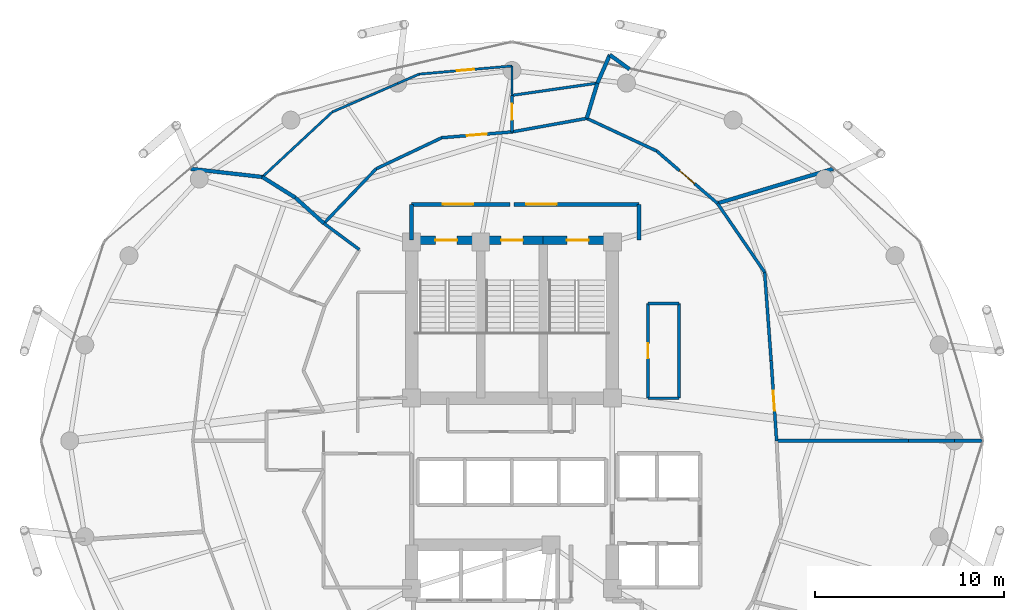
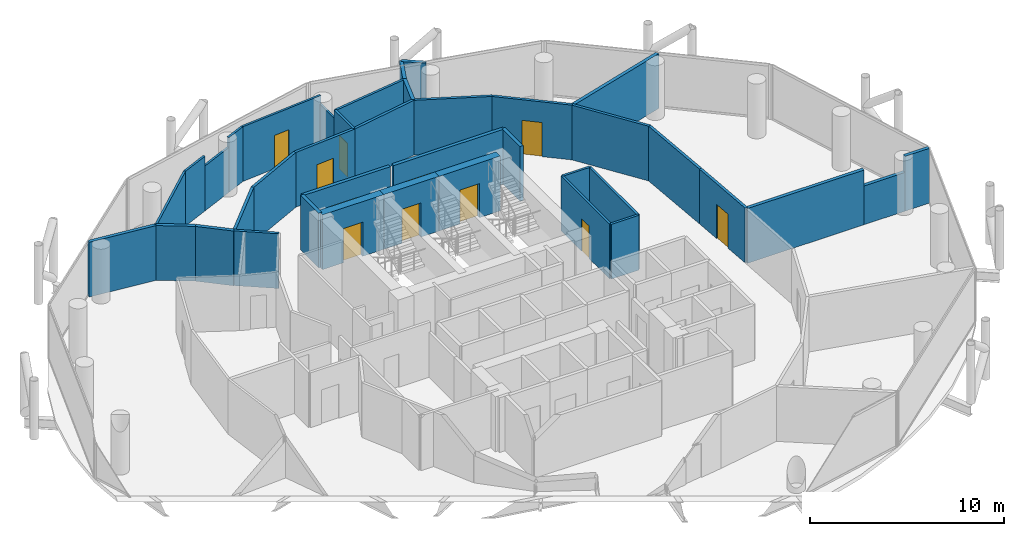
# One storey, part 24 of 26: 39 walls, 11 doors, 11 openings.
"""IFC4 building model written with IfcOpenShell, lengths in metres."""

from ifc_helpers import new_model, si_unit, direction, frame, frame_2d, origin, place, context, subcontext, project, spatial, rectangle, extrude, material, layer, layer_set, type_object, element, fill, save


model = new_model("IFC4")

# Units and contexts
model_context = context("Model", 3, precision=1e-05, world=origin(), true_north=direction((0.0, 1.0)))
body_context = subcontext(model_context, "Body", "Model", "MODEL_VIEW")
ifc_project = project(units=[si_unit("LENGTHUNIT", "METRE"), si_unit("AREAUNIT", "SQUARE_METRE"), si_unit("VOLUMEUNIT", "CUBIC_METRE"), si_unit("PLANEANGLEUNIT", "RADIAN"), si_unit("MASSUNIT", "GRAM", prefix="KILO")], contexts=[model_context])

# Site, building, storey
site_placement = place(None, origin())
site = spatial("IfcSite", under=ifc_project, at=site_placement, CompositionType="ELEMENT")
building_placement = place(site_placement, origin())
building = spatial("IfcBuilding", under=site, at=building_placement, Name="Nuhasar Tower", CompositionType="ELEMENT")
storey_placement = place(building_placement, frame((0.0, 0.0, 151.550048828125)))
storey = spatial("IfcBuildingStorey", under=building, at=storey_placement, Name="L36", CompositionType="ELEMENT", Elevation=151.550048828125)

# Wall, opening, door
ifc_material_1 = material(Name="Concrete C50/60", Category="concrete")
ifc_layer_1 = layer(ifc_material_1, 0.449951171875)
ifc_layer_set_1 = layer_set([ifc_layer_1], Name="Concrete C50/60")
wall_type_1 = type_object("IfcWallType", Name="WL-CORE-450", PredefinedType="SHEAR", material=ifc_layer_set_1)
wall_1_placement = place(storey_placement, frame((37.35009765625, 37.39990234375, 0.0), z_axis=(0.0, 0.0, 1.0), x_axis=(-1.0, 0.0, 0.0)))
wall_1 = element("IfcWall", 1, at=wall_1_placement, inside=storey, type_object=wall_type_1, Name="L36 Stairwell Shear Wall ST01-N", PredefinedType="SHEAR", context=body_context, shape_type="SweptSolid", body=[
    extrude(rectangle(XDim=3.650146484375, YDim=0.449951171875, at=frame_2d((1.8251953125, 0.0))), origin(), (0.0, 0.0, 1.0), 3.449951171875),
])
opening_1_placement = place(wall_1_placement, frame((1.25, 0.0, 0.0)))
opening_1 = element("IfcOpeningElement", 2, at=opening_1_placement, cuts=wall_1, Name="Opening DS-01", PredefinedType="OPENING", context=body_context, shape_type="SweptSolid", body=[
    extrude(rectangle(XDim=1.14990234375, YDim=2.14990234375, at=frame_2d((0.574951171875, 1.074951171875))), frame((0.0, 0.23486328125, 0.0), z_axis=(0.0, -1.0, 0.0), x_axis=(1.0, 0.0, 0.0)), (0.0, 0.0, 1.0), 0.469970703125),
])
ifc_material_2 = material(Name="Steel S355", Category="steel")
door_type_1 = type_object("IfcDoorType", Name="DR-STAIR-FD120-1150", OperationType="NOTDEFINED", PredefinedType="DOOR", material=ifc_material_2)
door_1_placement = place(opening_1_placement, origin())
door_1 = element("IfcDoor", 3, at=door_1_placement, inside=storey, type_object=door_type_1, Name="L36 Exit Stair ST-01 Door", OperationType="SINGLE_SWING_RIGHT", OverallHeight=2.14990234375, OverallWidth=1.14990234375, PredefinedType="DOOR", context=body_context, shape_type="SweptSolid", body=[
    extrude(rectangle(XDim=1.14990234375, YDim=2.14990234375, at=frame_2d((0.574951171875, 1.074951171875))), frame((0.0, 0.02490234375, 0.0), z_axis=(0.0, -1.0, 0.0), x_axis=(1.0, 0.0, 0.0)), (0.0, 0.0, 1.0), 0.050048828125),
])
fill(opening_1, door_1)

wall_2_placement = place(storey_placement, frame((40.64990234375, 37.39990234375, 0.0), z_axis=(0.0, 0.0, 1.0), x_axis=(-1.0, 0.0, 0.0)))
wall_2 = element("IfcWall", 4, at=wall_2_placement, inside=storey, type_object=wall_type_1, Name="L36 Stairwell Shear Wall ST03-N", PredefinedType="SHEAR", context=body_context, shape_type="SweptSolid", body=[
    extrude(rectangle(XDim=3.2998046875, YDim=0.449951171875, at=frame_2d((1.64990234375, 0.0))), origin(), (0.0, 0.0, 1.0), 3.449951171875),
])
opening_2_placement = place(wall_2_placement, frame((1.074951171875, 0.0, 0.0)))
opening_2 = element("IfcOpeningElement", 5, at=opening_2_placement, cuts=wall_2, Name="Opening DS-01", PredefinedType="OPENING", context=body_context, shape_type="SweptSolid", body=[
    extrude(rectangle(XDim=1.14990234375, YDim=2.14990234375, at=frame_2d((0.574951171875, 1.074951171875))), frame((0.0, 0.23486328125, 0.0), z_axis=(0.0, -1.0, 0.0), x_axis=(1.0, 0.0, 0.0)), (0.0, 0.0, 1.0), 0.469970703125),
])
door_2_placement = place(opening_2_placement, origin())
door_2 = element("IfcDoor", 6, at=door_2_placement, inside=storey, type_object=door_type_1, Name="L36 Exit Stair ST-03 Door", OperationType="SINGLE_SWING_RIGHT", OverallHeight=2.14990234375, OverallWidth=1.14990234375, PredefinedType="DOOR", context=body_context, shape_type="SweptSolid", body=[
    extrude(rectangle(XDim=1.14990234375, YDim=2.14990234375, at=frame_2d((0.574951171875, 1.074951171875))), frame((0.0, 0.02490234375, 0.0), z_axis=(0.0, -1.0, 0.0), x_axis=(1.0, 0.0, 0.0)), (0.0, 0.0, 1.0), 0.050048828125),
])
fill(opening_2, door_2)

wall_3_placement = place(storey_placement, frame((44.300048828125, 37.39990234375, 0.0), z_axis=(0.0, 0.0, 1.0), x_axis=(-1.0, 0.0, 0.0)))
wall_3 = element("IfcWall", 7, at=wall_3_placement, inside=storey, type_object=wall_type_1, Name="L36 Stairwell Shear Wall ST02-N", PredefinedType="SHEAR", context=body_context, shape_type="SweptSolid", body=[
    extrude(rectangle(XDim=3.650146484375, YDim=0.449951171875, at=frame_2d((1.8251953125, 0.0))), origin(), (0.0, 0.0, 1.0), 3.449951171875),
])
opening_3_placement = place(wall_3_placement, frame((1.25, 0.0, 0.0)))
opening_3 = element("IfcOpeningElement", 8, at=opening_3_placement, cuts=wall_3, Name="Opening DS-01", PredefinedType="OPENING", context=body_context, shape_type="SweptSolid", body=[
    extrude(rectangle(XDim=1.14990234375, YDim=2.14990234375, at=frame_2d((0.574951171875, 1.074951171875))), frame((0.0, 0.23486328125, 0.0), z_axis=(0.0, -1.0, 0.0), x_axis=(1.0, 0.0, 0.0)), (0.0, 0.0, 1.0), 0.469970703125),
])
door_3_placement = place(opening_3_placement, origin())
door_3 = element("IfcDoor", 9, at=door_3_placement, inside=storey, type_object=door_type_1, Name="L36 Exit Stair ST-02 Door", OperationType="SINGLE_SWING_LEFT", OverallHeight=2.14990234375, OverallWidth=1.14990234375, PredefinedType="DOOR", context=body_context, shape_type="SweptSolid", body=[
    extrude(rectangle(XDim=1.14990234375, YDim=2.14990234375, at=frame_2d((0.574951171875, 1.074951171875))), frame((0.0, 0.02490234375, 0.0), z_axis=(0.0, -1.0, 0.0), x_axis=(1.0, 0.0, 0.0)), (0.0, 0.0, 1.0), 0.050048828125),
])
fill(opening_3, door_3)

ifc_material_3 = material(Name="Gypsum Board", Category="gypsum")
ifc_layer_2 = layer(ifc_material_3, 0.159912109375)
ifc_layer_set_2 = layer_set([ifc_layer_2], Name="Gypsum Board")
wall_type_2 = type_object("IfcWallType", Name="WL-CORR-160", PredefinedType="PARTITIONING", material=ifc_layer_set_2)
wall_4_placement = place(storey_placement, frame((52.68310546875, 31.0380859375, 0.0), z_axis=(0.0, 0.0, 1.0), x_axis=(0.067533698234, -0.997716993743, 0.0)))
wall_4 = element("IfcWall", 10, at=wall_4_placement, inside=storey, type_object=wall_type_2, Name="L36 Interior Partition CORR-00", PredefinedType="PARTITIONING", context=body_context, shape_type="SweptSolid", body=[
    extrude(rectangle(XDim=4.247802734375, YDim=0.159912109375, at=frame_2d((2.1240234375, 0.0))), origin(), (0.0, 0.0, 1.0), 3.449951171875),
])
opening_4_placement = place(wall_4_placement, frame((1.59912109375, 0.0, 0.0)))
opening_4 = element("IfcOpeningElement", 11, at=opening_4_placement, cuts=wall_4, Name="Opening DU-01", PredefinedType="OPENING", context=body_context, shape_type="SweptSolid", body=[
    extrude(rectangle(XDim=1.050048828125, YDim=2.14990234375, at=frame_2d((0.52490234375, 1.074951171875))), frame((0.0, 0.08984375, 0.0), z_axis=(0.0, -1.0, 0.0), x_axis=(1.0, 0.0, 0.0)), (0.0, 0.0, 1.0), 0.179931640625),
])
ifc_material_4 = material(Name="Timber Oak", Category="wood")
door_type_2 = type_object("IfcDoorType", Name="DR-SUITE-FD60-1050", OperationType="NOTDEFINED", PredefinedType="DOOR", material=ifc_material_4)
door_4_placement = place(opening_4_placement, origin())
door_4 = element("IfcDoor", 12, at=door_4_placement, inside=storey, type_object=door_type_2, Name="L36 Sky Yoga & Pilates Studio Entrance Door", OperationType="SINGLE_SWING_LEFT", OverallHeight=2.14990234375, OverallWidth=1.050048828125, PredefinedType="DOOR", context=body_context, shape_type="SweptSolid", body=[
    extrude(rectangle(XDim=1.050048828125, YDim=2.14990234375, at=frame_2d((0.52490234375, 1.074951171875))), frame((0.0, 0.02490234375, 0.0), z_axis=(0.0, -1.0, 0.0), x_axis=(1.0, 0.0, 0.0)), (0.0, 0.0, 1.0), 0.050048828125),
])
fill(opening_4, door_4)

# Walls
wall_5_placement = place(storey_placement, frame((52.68310546875, 31.0380859375, 0.0), z_axis=(0.0, 0.0, 1.0), x_axis=(-0.073833218119, 0.997270603148, 0.0)))
element("IfcWall", 13, at=wall_5_placement, inside=storey, type_object=wall_type_2, Name="L36 Interior Partition CORR-02", PredefinedType="PARTITIONING", context=body_context, shape_type="SweptSolid", body=[
    extrude(rectangle(XDim=4.675537109375, YDim=0.159912109375, at=frame_2d((2.337890625, 0.0))), origin(), (0.0, 0.0, 1.0), 3.449951171875),
])
wall_6_placement = place(storey_placement, frame((52.337890625, 35.700927734375, 0.0), z_axis=(0.0, 0.0, 1.0), x_axis=(-0.565072996938, 0.825040913005, 0.0)))
element("IfcWall", 14, at=wall_6_placement, inside=storey, type_object=wall_type_2, Name="L36 Interior Partition CORR-04", PredefinedType="PARTITIONING", context=body_context, shape_type="SweptSolid", body=[
    extrude(rectangle(XDim=4.408203125, YDim=0.159912109375, at=frame_2d((2.2041015625, 0.0))), origin(), (0.0, 0.0, 1.0), 3.449951171875),
])

# Wall, opening, door
wall_7_placement = place(storey_placement, frame((46.64208984375, 42.10107421875, 0.0), z_axis=(0.0, 0.0, 1.0), x_axis=(0.757363717031, -0.65299326193, 0.0)))
wall_7 = element("IfcWall", 15, at=wall_7_placement, inside=storey, type_object=wall_type_2, Name="L36 Interior Partition CORR-06", PredefinedType="PARTITIONING", context=body_context, shape_type="SweptSolid", body=[
    extrude(rectangle(XDim=4.2314453125, YDim=0.159912109375, at=frame_2d((2.11572265625, 0.0))), origin(), (0.0, 0.0, 1.0), 3.449951171875),
])
opening_5_placement = place(wall_7_placement, frame((1.591064453125, 0.0, 0.0)))
opening_5 = element("IfcOpeningElement", 16, at=opening_5_placement, cuts=wall_7, Name="Opening DU-01", PredefinedType="OPENING", context=body_context, shape_type="SweptSolid", body=[
    extrude(rectangle(XDim=1.050048828125, YDim=2.14990234375, at=frame_2d((0.52490234375, 1.074951171875))), frame((0.0, 0.08984375, 0.0), z_axis=(0.0, -1.0, 0.0), x_axis=(1.0, 0.0, 0.0)), (0.0, 0.0, 1.0), 0.179931640625),
])
door_5_placement = place(opening_5_placement, origin())
door_5 = element("IfcDoor", 17, at=door_5_placement, inside=storey, type_object=door_type_2, Name="L36 Botanical Juice Pantry Entrance Door", OperationType="SINGLE_SWING_RIGHT", OverallHeight=2.14990234375, OverallWidth=1.050048828125, PredefinedType="DOOR", context=body_context, shape_type="SweptSolid", body=[
    extrude(rectangle(XDim=1.050048828125, YDim=2.14990234375, at=frame_2d((0.52490234375, 1.074951171875))), frame((0.0, 0.02490234375, 0.0), z_axis=(0.0, -1.0, 0.0), x_axis=(1.0, 0.0, 0.0)), (0.0, 0.0, 1.0), 0.050048828125),
])
fill(opening_5, door_5)

# Walls
wall_8_placement = place(storey_placement, frame((46.64208984375, 42.10107421875, 0.0), z_axis=(0.0, 0.0, 1.0), x_axis=(-0.906271822744, 0.422695378849, 0.0)))
element("IfcWall", 18, at=wall_8_placement, inside=storey, type_object=wall_type_2, Name="L36 Interior Partition CORR-08", PredefinedType="PARTITIONING", context=body_context, shape_type="SweptSolid", body=[
    extrude(rectangle(XDim=4.078369140625, YDim=0.159912109375, at=frame_2d((2.0390625, 0.0))), origin(), (0.0, 0.0, 1.0), 3.449951171875),
])
wall_9_placement = place(storey_placement, frame((42.946044921875, 43.824951171875, 0.0), z_axis=(0.0, 0.0, 1.0), x_axis=(-0.983984646252, -0.178253235428, 0.0)))
element("IfcWall", 19, at=wall_9_placement, inside=storey, type_object=wall_type_2, Name="L36 Interior Partition CORR-10", PredefinedType="PARTITIONING", context=body_context, shape_type="SweptSolid", body=[
    extrude(rectangle(XDim=4.01025390625, YDim=0.159912109375, at=frame_2d((2.005126953125, 0.0))), origin(), (0.0, 0.0, 1.0), 3.449951171875),
])

# Wall, opening, door
wall_10_placement = place(storey_placement, frame((35.291015625, 42.802001953125, 0.0), z_axis=(0.0, 0.0, 1.0), x_axis=(0.996567439433, 0.082784893929, 0.0)))
wall_10 = element("IfcWall", 20, at=wall_10_placement, inside=storey, type_object=wall_type_2, Name="L36 Interior Partition CORR-12", PredefinedType="PARTITIONING", context=body_context, shape_type="SweptSolid", body=[
    extrude(rectangle(XDim=3.7216796875, YDim=0.159912109375, at=frame_2d((1.86083984375, 0.0))), origin(), (0.0, 0.0, 1.0), 3.449951171875),
])
opening_6_placement = place(wall_10_placement, frame((1.3359375, 0.0, 0.0)))
opening_6 = element("IfcOpeningElement", 21, at=opening_6_placement, cuts=wall_10, Name="Opening DU-01", PredefinedType="OPENING", context=body_context, shape_type="SweptSolid", body=[
    extrude(rectangle(XDim=1.050048828125, YDim=2.14990234375, at=frame_2d((0.52490234375, 1.074951171875))), frame((0.0, 0.08984375, 0.0), z_axis=(0.0, -1.0, 0.0), x_axis=(1.0, 0.0, 0.0)), (0.0, 0.0, 1.0), 0.179931640625),
])
door_6_placement = place(opening_6_placement, origin())
door_6 = element("IfcDoor", 22, at=door_6_placement, inside=storey, type_object=door_type_2, Name="L36 Thermal Sanctuary Suite 02 Entrance Door", OperationType="SINGLE_SWING_LEFT", OverallHeight=2.14990234375, OverallWidth=1.050048828125, PredefinedType="DOOR", context=body_context, shape_type="SweptSolid", body=[
    extrude(rectangle(XDim=1.050048828125, YDim=2.14990234375, at=frame_2d((0.52490234375, 1.074951171875))), frame((0.0, 0.02490234375, 0.0), z_axis=(0.0, -1.0, 0.0), x_axis=(1.0, 0.0, 0.0)), (0.0, 0.0, 1.0), 0.050048828125),
])
fill(opening_6, door_6)

# Walls
wall_11_placement = place(storey_placement, frame((35.291015625, 42.802001953125, 0.0), z_axis=(0.0, 0.0, 1.0), x_axis=(-0.903715790708, -0.42813288781, 0.0)))
element("IfcWall", 23, at=wall_11_placement, inside=storey, type_object=wall_type_2, Name="L36 Interior Partition CORR-14", PredefinedType="PARTITIONING", context=body_context, shape_type="SweptSolid", body=[
    extrude(rectangle(XDim=3.833251953125, YDim=0.159912109375, at=frame_2d((1.91650390625, 0.0))), origin(), (0.0, 0.0, 1.0), 3.449951171875),
])
wall_12_placement = place(storey_placement, frame((31.826904296875, 41.160888671875, 0.0), z_axis=(0.0, 0.0, 1.0), x_axis=(-0.691511696296, -0.722365263482, 0.0)))
element("IfcWall", 24, at=wall_12_placement, inside=storey, type_object=wall_type_2, Name="L36 Interior Partition CORR-16", PredefinedType="PARTITIONING", context=body_context, shape_type="SweptSolid", body=[
    extrude(rectangle(XDim=3.988037109375, YDim=0.159912109375, at=frame_2d((1.994140625, 0.0))), origin(), (0.0, 0.0, 1.0), 3.449951171875),
])
wall_13_placement = place(storey_placement, frame((30.93896484375, 36.89697265625, 0.0), z_axis=(0.0, 0.0, 1.0), x_axis=(-0.803975392498, 0.594662566719, 0.0)))
element("IfcWall", 25, at=wall_13_placement, inside=storey, type_object=wall_type_2, Name="L36 Interior Partition HRAD-18-IN", PredefinedType="PARTITIONING", context=body_context, shape_type="SweptSolid", body=[
    extrude(rectangle(XDim=2.32568359375, YDim=0.159912109375, at=frame_2d((1.162841796875, 0.0))), origin(), (0.0, 0.0, 1.0), 3.449951171875),
])
ifc_material_5 = material(Name="Concrete C45/55", Category="concrete")
ifc_layer_3 = layer(ifc_material_5, 0.199951171875)
ifc_layer_set_3 = layer_set([ifc_layer_3], Name="Concrete C45/55")
wall_type_3 = type_object("IfcWallType", Name="WL-LOBBY-200", PredefinedType="SOLIDWALL", material=ifc_layer_set_3)
for number, where, z_axis, x_axis, name in (
    (26, (33.699951171875, 37.39990234375, 0.0), (0.0, 0.0, 1.0), (0.0, 1.0, 0.0), "L36 Interior Partition NSL-W"),
    (27, (45.699951171875, 37.39990234375, 0.0), (0.0, 0.0, 1.0), (0.0, 1.0, 0.0), "L36 Interior Partition NSL-E"),
):
    element("IfcWall", number, at=place(storey_placement, frame(where, z_axis=z_axis, x_axis=x_axis)), inside=storey, type_object=wall_type_3, Name=name, PredefinedType="SOLIDWALL", context=body_context, shape_type="SweptSolid", body=[
        extrude(rectangle(XDim=1.880126953125, YDim=0.199951171875, at=frame_2d((0.93994140625, 0.0))), origin(), (0.0, 0.0, 1.0), 3.449951171875),
    ])

# Wall, opening, door
wall_14_placement = place(storey_placement, frame((38.89990234375, 39.280029296875, 0.0), z_axis=(0.0, 0.0, 1.0), x_axis=(-1.0, 0.0, 0.0)))
wall_14 = element("IfcWall", 28, at=wall_14_placement, inside=storey, type_object=wall_type_3, Name="L36 Interior Partition NSL-N1", PredefinedType="SOLIDWALL", context=body_context, shape_type="SweptSolid", body=[
    extrude(rectangle(XDim=5.199951171875, YDim=0.199951171875, at=frame_2d((2.60009765625, 0.0))), origin(), (0.0, 0.0, 1.0), 3.449951171875),
])
opening_7_placement = place(wall_14_placement, frame((1.949951171875, 0.0, 0.0)))
opening_7 = element("IfcOpeningElement", 29, at=opening_7_placement, cuts=wall_14, Name="Opening DC-01", PredefinedType="OPENING", context=body_context, shape_type="SweptSolid", body=[
    extrude(rectangle(XDim=1.60009765625, YDim=2.199951171875, at=frame_2d((0.800048828125, 1.10009765625))), frame((0.0, 0.10986328125, 0.0), z_axis=(0.0, -1.0, 0.0), x_axis=(1.0, 0.0, 0.0)), (0.0, 0.0, 1.0), 0.219970703125),
])
door_type_3 = type_object("IfcDoorType", Name="DR-CORR-FD60-1600", OperationType="DOUBLE_DOOR_SINGLE_SWING", PredefinedType="DOOR", material=ifc_material_2)
door_7_placement = place(opening_7_placement, origin())
door_7 = element("IfcDoor", 30, at=door_7_placement, inside=storey, type_object=door_type_3, Name="L36 North Stair Lobby West Door", OperationType="DOUBLE_DOOR_SINGLE_SWING", OverallHeight=2.199951171875, OverallWidth=1.60009765625, PredefinedType="DOOR", context=body_context, shape_type="SweptSolid", body=[
    extrude(rectangle(XDim=1.60009765625, YDim=2.199951171875, at=frame_2d((0.800048828125, 1.10009765625))), frame((0.0, 0.02490234375, 0.0), z_axis=(0.0, -1.0, 0.0), x_axis=(1.0, 0.0, 0.0)), (0.0, 0.0, 1.0), 0.050048828125),
])
fill(opening_7, door_7)

wall_15_placement = place(storey_placement, frame((45.699951171875, 39.280029296875, 0.0), z_axis=(0.0, 0.0, 1.0), x_axis=(-1.0, 0.0, 0.0)))
wall_15 = element("IfcWall", 31, at=wall_15_placement, inside=storey, type_object=wall_type_3, Name="L36 Interior Partition NSL-N2", PredefinedType="SOLIDWALL", context=body_context, shape_type="SweptSolid", body=[
    extrude(rectangle(XDim=6.599853515625, YDim=0.199951171875, at=frame_2d((3.2998046875, 0.0))), origin(), (0.0, 0.0, 1.0), 3.449951171875),
])
opening_8_placement = place(wall_15_placement, frame((4.35009765625, 0.0, 0.0)))
opening_8 = element("IfcOpeningElement", 32, at=opening_8_placement, cuts=wall_15, Name="Opening DC-01", PredefinedType="OPENING", context=body_context, shape_type="SweptSolid", body=[
    extrude(rectangle(XDim=1.60009765625, YDim=2.199951171875, at=frame_2d((0.800048828125, 1.10009765625))), frame((0.0, 0.10986328125, 0.0), z_axis=(0.0, -1.0, 0.0), x_axis=(1.0, 0.0, 0.0)), (0.0, 0.0, 1.0), 0.219970703125),
])
door_8_placement = place(opening_8_placement, origin())
door_8 = element("IfcDoor", 33, at=door_8_placement, inside=storey, type_object=door_type_3, Name="L36 North Stair Lobby East Door", OperationType="DOUBLE_DOOR_SINGLE_SWING", OverallHeight=2.199951171875, OverallWidth=1.60009765625, PredefinedType="DOOR", context=body_context, shape_type="SweptSolid", body=[
    extrude(rectangle(XDim=1.60009765625, YDim=2.199951171875, at=frame_2d((0.800048828125, 1.10009765625))), frame((0.0, 0.02490234375, 0.0), z_axis=(0.0, -1.0, 0.0), x_axis=(1.0, 0.0, 0.0)), (0.0, 0.0, 1.0), 0.050048828125),
])
fill(opening_8, door_8)

# Wall
ifc_layer_4 = layer(ifc_material_3, 0.125)
ifc_layer_set_4 = layer_set([ifc_layer_4], Name="Gypsum Board")
wall_type_4 = type_object("IfcWallType", Name="WL-PART-125", PredefinedType="PARTITIONING", material=ifc_layer_set_4)
wall_16_placement = place(storey_placement, frame((39.0, 45.0400390625, 0.0), z_axis=(0.0, 0.0, 1.0), x_axis=(0.0, 1.0, 0.0)))
element("IfcWall", 34, at=wall_16_placement, inside=storey, type_object=wall_type_4, Name="L36 Interior Partition HBS-06", PredefinedType="PARTITIONING", context=body_context, shape_type="SweptSolid", body=[
    extrude(rectangle(XDim=1.550048828125, YDim=0.125, at=frame_2d((0.77490234375, 0.0))), origin(), (0.0, 0.0, 1.0), 2.9150390625),
])

# Wall, opening, door
wall_17_placement = place(storey_placement, frame((34.092041015625, 46.159912109375, 0.0), z_axis=(0.0, 0.0, 1.0), x_axis=(0.996180851402, 0.087313866596, 0.0)))
wall_17 = element("IfcWall", 35, at=wall_17_placement, inside=storey, type_object=wall_type_4, Name="L36 Interior Partition HSAL-06-12", PredefinedType="PARTITIONING", context=body_context, shape_type="SweptSolid", body=[
    extrude(rectangle(XDim=4.9267578125, YDim=0.125, at=frame_2d((2.46337890625, 0.0))), origin(), (0.0, 0.0, 1.0), 3.449951171875),
])
opening_9_placement = place(wall_17_placement, frame((2.012939453125, 0.0, 0.0)))
opening_9 = element("IfcOpeningElement", 36, at=opening_9_placement, cuts=wall_17, Name="Opening DR-01", PredefinedType="OPENING", context=body_context, shape_type="SweptSolid", body=[
    extrude(rectangle(XDim=0.89990234375, YDim=2.10009765625, at=frame_2d((0.449951171875, 1.050048828125))), frame((0.0, 0.072509765625, 0.0), z_axis=(0.0, -1.0, 0.0), x_axis=(1.0, 0.0, 0.0)), (0.0, 0.0, 1.0), 0.14501953125),
])
door_type_4 = type_object("IfcDoorType", Name="DR-ROOM-900", OperationType="NOTDEFINED", PredefinedType="DOOR", material=ifc_material_4)
door_9_placement = place(opening_9_placement, origin())
door_9 = element("IfcDoor", 37, at=door_9_placement, inside=storey, type_object=door_type_4, Name="L36 Thermal Sanctuary Suite 02 Bedroom Door", OperationType="SINGLE_SWING_RIGHT", OverallHeight=2.10009765625, OverallWidth=0.89990234375, PredefinedType="DOOR", context=body_context, shape_type="SweptSolid", body=[
    extrude(rectangle(XDim=0.89990234375, YDim=2.10009765625, at=frame_2d((0.449951171875, 1.050048828125))), frame((0.0, 0.02490234375, 0.0), z_axis=(0.0, -1.0, 0.0), x_axis=(1.0, 0.0, 0.0)), (0.0, 0.0, 1.0), 0.050048828125),
])
fill(opening_9, door_9)

# Walls
wall_18_placement = place(storey_placement, frame((34.092041015625, 46.159912109375, 0.0), z_axis=(0.0, 0.0, 1.0), x_axis=(-0.916522144476, -0.399983948034, 0.0)))
element("IfcWall", 38, at=wall_18_placement, inside=storey, type_object=wall_type_4, Name="L36 Interior Partition HSAL-06-14", PredefinedType="PARTITIONING", context=body_context, shape_type="SweptSolid", body=[
    extrude(rectangle(XDim=1.2275390625, YDim=0.125, at=frame_2d((0.61376953125, 0.0))), origin(), (0.0, 0.0, 1.0), 3.449951171875),
])
wall_19_placement = place(storey_placement, frame((32.967041015625, 45.6689453125, 0.0), z_axis=(0.0, 0.0, 1.0), x_axis=(-0.916639359056, -0.399715255438, 0.0)))
element("IfcWall", 39, at=wall_19_placement, inside=storey, type_object=wall_type_4, Name="L36 Interior Partition HSAL-06-14", PredefinedType="PARTITIONING", context=body_context, shape_type="SweptSolid", body=[
    extrude(rectangle(XDim=2.06640625, YDim=0.125, at=frame_2d((1.033203125, 0.0))), origin(), (0.0, 0.0, 1.0), 2.829833984375),
])
wall_20_placement = place(storey_placement, frame((31.072998046875, 44.843017578125, 0.0), z_axis=(0.0, 0.0, 1.0), x_axis=(-0.916624498979, -0.399749331296, 0.0)))
element("IfcWall", 40, at=wall_20_placement, inside=storey, type_object=wall_type_4, Name="L36 Interior Partition HSAL-06-14", PredefinedType="PARTITIONING", context=body_context, shape_type="SweptSolid", body=[
    extrude(rectangle(XDim=1.700927734375, YDim=0.125, at=frame_2d((0.8505859375, 0.0))), origin(), (0.0, 0.0, 1.0), 3.449951171875),
])
wall_21_placement = place(storey_placement, frame((29.513916015625, 44.1630859375, 0.0), z_axis=(0.0, 0.0, 1.0), x_axis=(-0.73247967819, -0.68078889609, 0.0)))
element("IfcWall", 41, at=wall_21_placement, inside=storey, type_object=wall_type_4, Name="L36 Interior Partition HSAL-06-16", PredefinedType="PARTITIONING", context=body_context, shape_type="SweptSolid", body=[
    extrude(rectangle(XDim=5.044189453125, YDim=0.125, at=frame_2d((2.52197265625, 0.0))), origin(), (0.0, 0.0, 1.0), 3.449951171875),
])
ifc_material_6 = material(Name="Concrete C40/50 precast", Category="concrete")
ifc_layer_5 = layer(ifc_material_6, 0.199951171875)
ifc_layer_set_5 = layer_set([ifc_layer_5], Name="Concrete C40/50 precast")
wall_type_5 = type_object("IfcWallType", Name="WL-UNIT-200", PredefinedType="PARTITIONING", material=ifc_layer_set_5)
wall_22_placement = place(storey_placement, frame((29.069091796875, 38.280029296875, 0.0), z_axis=(0.0, 0.0, 1.0), x_axis=(-0.743085021135, 0.669197019842, 0.0)))
element("IfcWall", 42, at=wall_22_placement, inside=storey, type_object=wall_type_5, Name="L36 Interior Partition HRAD-18-OUT-S1", PredefinedType="PARTITIONING", context=body_context, shape_type="SweptSolid", body=[
    extrude(rectangle(XDim=2.031982421875, YDim=0.199951171875, at=frame_2d((1.01611328125, 0.0))), origin(), (0.0, 0.0, 1.0), 3.449951171875),
])
wall_23_placement = place(storey_placement, frame((27.55908203125, 39.639892578125, 0.0), z_axis=(0.0, 0.0, 1.0), x_axis=(-0.847643984813, 0.530565429529, 0.0)))
element("IfcWall", 43, at=wall_23_placement, inside=storey, type_object=wall_type_5, Name="L36 Interior Partition HRAD-18-OUT-S2", PredefinedType="PARTITIONING", context=body_context, shape_type="SweptSolid", body=[
    extrude(rectangle(XDim=2.052734375, YDim=0.199951171875, at=frame_2d((1.0263671875, 0.0))), origin(), (0.0, 0.0, 1.0), 3.449951171875),
])
wall_24_placement = place(storey_placement, frame((25.819091796875, 40.72900390625, 0.0), z_axis=(0.0, 0.0, 1.0), x_axis=(-0.993548609686, 0.113407055299, 0.0)))
element("IfcWall", 44, at=wall_24_placement, inside=storey, type_object=wall_type_5, Name="L36 Interior Partition HRAD-18-OUT-S3", PredefinedType="PARTITIONING", context=body_context, shape_type="SweptSolid", body=[
    extrude(rectangle(XDim=3.799560546875, YDim=0.199951171875, at=frame_2d((1.89990234375, 0.0))), origin(), (0.0, 0.0, 1.0), 3.449951171875),
])
wall_25_placement = place(storey_placement, frame((52.969970703125, 26.800048828125, 0.0), z_axis=(0.0, 0.0, 1.0), x_axis=(1.0, 0.0, 0.0)))
element("IfcWall", 45, at=wall_25_placement, inside=storey, type_object=wall_type_5, Name="L36 Interior Partition HRAD-00", PredefinedType="PARTITIONING", context=body_context, shape_type="SweptSolid", body=[
    extrude(rectangle(XDim=6.95703125, YDim=0.199951171875, at=frame_2d((3.478515625, 0.0))), origin(), (0.0, 0.0, 1.0), 3.449951171875),
])
wall_26_placement = place(storey_placement, frame((59.927001953125, 26.800048828125, 0.0), z_axis=(0.0, 0.0, 1.0), x_axis=(1.0, 0.0, 0.0)))
element("IfcWall", 46, at=wall_26_placement, inside=storey, type_object=wall_type_5, Name="L36 Interior Partition HRAD-00", PredefinedType="PARTITIONING", context=body_context, shape_type="SweptSolid", body=[
    extrude(rectangle(XDim=2.43505859375, YDim=0.199951171875, at=frame_2d((1.217529296875, 0.0))), origin(), (0.0, 0.0, 1.0), 2.43994140625),
])
wall_27_placement = place(storey_placement, frame((62.362060546875, 26.800048828125, 0.0), z_axis=(0.0, 0.0, 1.0), x_axis=(1.0, 0.0, 0.0)))
element("IfcWall", 47, at=wall_27_placement, inside=storey, type_object=wall_type_5, Name="L36 Interior Partition HRAD-00", PredefinedType="PARTITIONING", context=body_context, shape_type="SweptSolid", body=[
    extrude(rectangle(XDim=1.462890625, YDim=0.199951171875, at=frame_2d((0.7314453125, 0.0))), origin(), (0.0, 0.0, 1.0), 3.449951171875),
])
wall_28_placement = place(storey_placement, frame((49.846923828125, 39.337890625, 0.0), z_axis=(0.0, 0.0, 1.0), x_axis=(0.958287760773, 0.285805121634, 0.0)))
element("IfcWall", 48, at=wall_28_placement, inside=storey, type_object=wall_type_5, Name="L36 Interior Partition HRAD-06", PredefinedType="PARTITIONING", context=body_context, shape_type="SweptSolid", body=[
    extrude(rectangle(XDim=6.375, YDim=0.199951171875, at=frame_2d((3.1875, 0.0))), origin(), (0.0, 0.0, 1.0), 3.449951171875),
])
wall_29_placement = place(storey_placement, frame((42.946044921875, 43.824951171875, 0.0), z_axis=(0.0, 0.0, 1.0), x_axis=(0.289087109565, 0.957302795924, 0.0)))
element("IfcWall", 49, at=wall_29_placement, inside=storey, type_object=wall_type_5, Name="L36 Interior Partition HRAD-10-S1", PredefinedType="PARTITIONING", context=body_context, shape_type="SweptSolid", body=[
    extrude(rectangle(XDim=1.944091796875, YDim=0.199951171875, at=frame_2d((0.97216796875, 0.0))), origin(), (0.0, 0.0, 1.0), 3.449951171875),
])
wall_30_placement = place(storey_placement, frame((43.508056640625, 45.68603515625, 0.0), z_axis=(0.0, 0.0, 1.0), x_axis=(0.40373241072, 0.914877117724, 0.0)))
element("IfcWall", 50, at=wall_30_placement, inside=storey, type_object=wall_type_5, Name="L36 Interior Partition HRAD-10-S2", PredefinedType="PARTITIONING", context=body_context, shape_type="SweptSolid", body=[
    extrude(rectangle(XDim=1.629638671875, YDim=0.199951171875, at=frame_2d((0.81494140625, 0.0))), origin(), (0.0, 0.0, 1.0), 3.449951171875),
])
wall_31_placement = place(storey_placement, frame((44.166015625, 47.177001953125, 0.0), z_axis=(0.0, 0.0, 1.0), x_axis=(0.807036931604, -0.590500966153, 0.0)))
element("IfcWall", 51, at=wall_31_placement, inside=storey, type_object=wall_type_5, Name="L36 Interior Partition HRAD-10-S3", PredefinedType="PARTITIONING", context=body_context, shape_type="SweptSolid", body=[
    extrude(rectangle(XDim=1.288818359375, YDim=0.199951171875, at=frame_2d((0.64453125, 0.0))), origin(), (0.0, 0.0, 1.0), 3.449951171875),
])

# Wall, opening, door
ifc_layer_6 = layer(ifc_material_6, 0.139892578125)
ifc_layer_set_6 = layer_set([ifc_layer_6], Name="Concrete C40/50 precast")
wall_type_6 = type_object("IfcWallType", Name="WL-WET-140", PredefinedType="PARTITIONING", material=ifc_layer_set_6)
wall_32_placement = place(storey_placement, frame((46.179931640625, 34.050048828125, 0.0), z_axis=(0.0, 0.0, 1.0), x_axis=(0.0, -1.0, 0.0)))
wall_32 = element("IfcWall", 52, at=wall_32_placement, inside=storey, type_object=wall_type_6, Name="L36 Interior Partition K3-NE-W", PredefinedType="PARTITIONING", context=body_context, shape_type="SweptSolid", body=[
    extrude(rectangle(XDim=5.0, YDim=0.139892578125, at=frame_2d((2.5, 0.0))), origin(), (0.0, 0.0, 1.0), 3.449951171875),
])
opening_10_placement = place(wall_32_placement, frame((2.10009765625, 0.0, 0.0)))
opening_10 = element("IfcOpeningElement", 53, at=opening_10_placement, cuts=wall_32, Name="Opening DM-01", PredefinedType="OPENING", context=body_context, shape_type="SweptSolid", body=[
    extrude(rectangle(XDim=0.800048828125, YDim=2.050048828125, at=frame_2d((0.39990234375, 1.02490234375))), frame((0.0, 0.080078125, 0.0), z_axis=(0.0, -1.0, 0.0), x_axis=(1.0, 0.0, 0.0)), (0.0, 0.0, 1.0), 0.159912109375),
])
door_type_5 = type_object("IfcDoorType", Name="DR-RISER-FD60-800", OperationType="NOTDEFINED", PredefinedType="DOOR", material=ifc_material_2)
door_10_placement = place(opening_10_placement, origin())
door_10 = element("IfcDoor", 54, at=door_10_placement, inside=storey, type_object=door_type_5, Name="L36 NE Switchgear Room Door", OperationType="SINGLE_SWING_RIGHT", OverallHeight=2.050048828125, OverallWidth=0.800048828125, PredefinedType="DOOR", context=body_context, shape_type="SweptSolid", body=[
    extrude(rectangle(XDim=0.800048828125, YDim=2.050048828125, at=frame_2d((0.39990234375, 1.02490234375))), frame((0.0, 0.02490234375, 0.0), z_axis=(0.0, -1.0, 0.0), x_axis=(1.0, 0.0, 0.0)), (0.0, 0.0, 1.0), 0.050048828125),
])
fill(opening_10, door_10)

# Walls
for number, where, z_axis, x_axis, name in (
    (55, (46.179931640625, 29.050048828125, 0.0), (0.0, 0.0, 1.0), (1.0, 0.0, 0.0), "L36 Interior Partition K3-NE-S"),
    (56, (46.179931640625, 34.050048828125, 0.0), (0.0, 0.0, 1.0), (1.0, 0.0, 0.0), "L36 Interior Partition K3-NE-N"),
):
    element("IfcWall", number, at=place(storey_placement, frame(where, z_axis=z_axis, x_axis=x_axis)), inside=storey, type_object=wall_type_6, Name=name, PredefinedType="PARTITIONING", context=body_context, shape_type="SweptSolid", body=[
        extrude(rectangle(XDim=1.64013671875, YDim=0.139892578125, at=frame_2d((0.820068359375, 0.0))), origin(), (0.0, 0.0, 1.0), 3.449951171875),
    ])
wall_33_placement = place(storey_placement, frame((47.820068359375, 29.050048828125, 0.0), z_axis=(0.0, 0.0, 1.0), x_axis=(0.0, 1.0, 0.0)))
element("IfcWall", 57, at=wall_33_placement, inside=storey, type_object=wall_type_6, Name="L36 Interior Partition K3-NE-E", PredefinedType="PARTITIONING", context=body_context, shape_type="SweptSolid", body=[
    extrude(rectangle(XDim=5.0, YDim=0.139892578125, at=frame_2d((2.5, 0.0))), origin(), (0.0, 0.0, 1.0), 3.449951171875),
])

# Wall, opening, door
wall_34_placement = place(storey_placement, frame((39.0, 43.110107421875, 0.0), z_axis=(0.0, 0.0, 1.0), x_axis=(0.0, 1.0, 0.0)))
wall_34 = element("IfcWall", 58, at=wall_34_placement, inside=storey, type_object=wall_type_6, Name="L36 Interior Partition HBW-06", PredefinedType="PARTITIONING", context=body_context, shape_type="SweptSolid", body=[
    extrude(rectangle(XDim=1.929931640625, YDim=0.139892578125, at=frame_2d((0.96484375, 0.0))), origin(), (0.0, 0.0, 1.0), 3.449951171875),
])
opening_11_placement = place(wall_34_placement, frame((0.635986328125, 0.0, 0.0)))
opening_11 = element("IfcOpeningElement", 59, at=opening_11_placement, cuts=wall_34, Name="Opening DB-01", PredefinedType="OPENING", context=body_context, shape_type="SweptSolid", body=[
    extrude(rectangle(XDim=0.85009765625, YDim=2.10009765625, at=frame_2d((0.425048828125, 1.050048828125))), frame((0.0, 0.080078125, 0.0), z_axis=(0.0, -1.0, 0.0), x_axis=(1.0, 0.0, 0.0)), (0.0, 0.0, 1.0), 0.159912109375),
])
door_type_6 = type_object("IfcDoorType", Name="DR-BATH-850", OperationType="NOTDEFINED", PredefinedType="DOOR", material=ifc_material_4)
door_11_placement = place(opening_11_placement, origin())
door_11 = element("IfcDoor", 60, at=door_11_placement, inside=storey, type_object=door_type_6, Name="L36 Thermal Sanctuary Suite 02 En-Suite Door", OperationType="SINGLE_SWING_RIGHT", OverallHeight=2.10009765625, OverallWidth=0.85009765625, PredefinedType="DOOR", context=body_context, shape_type="SweptSolid", body=[
    extrude(rectangle(XDim=0.85009765625, YDim=2.10009765625, at=frame_2d((0.425048828125, 1.050048828125))), frame((0.0, 0.02490234375, 0.0), z_axis=(0.0, -1.0, 0.0), x_axis=(1.0, 0.0, 0.0)), (0.0, 0.0, 1.0), 0.050048828125),
])
fill(opening_11, door_11)

# Wall
wall_35_placement = place(storey_placement, frame((43.508056640625, 45.68603515625, 0.0), z_axis=(0.0, 0.0, 1.0), x_axis=(-0.989888287083, -0.141849142032, 0.0)))
element("IfcWall", 61, at=wall_35_placement, inside=storey, type_object=wall_type_6, Name="L36 Interior Partition HBF-06-10", PredefinedType="PARTITIONING", context=body_context, shape_type="SweptSolid", body=[
    extrude(rectangle(XDim=4.55419921875, YDim=0.139892578125, at=frame_2d((2.277099609375, 0.0))), origin(), (0.0, 0.0, 1.0), 3.449951171875),
])

save(model, "model.ifc")
